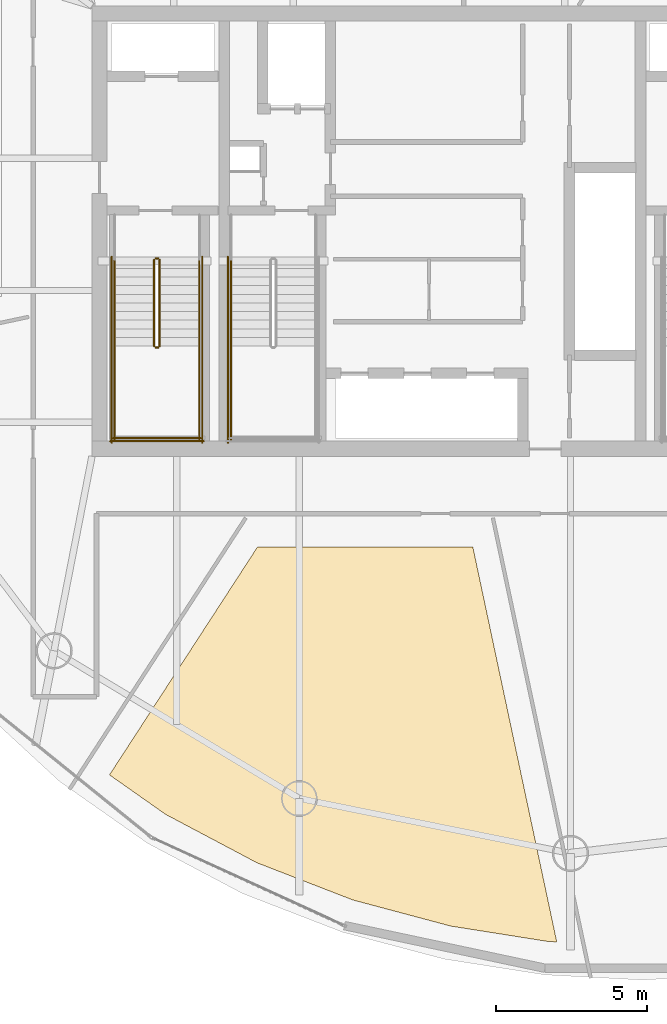
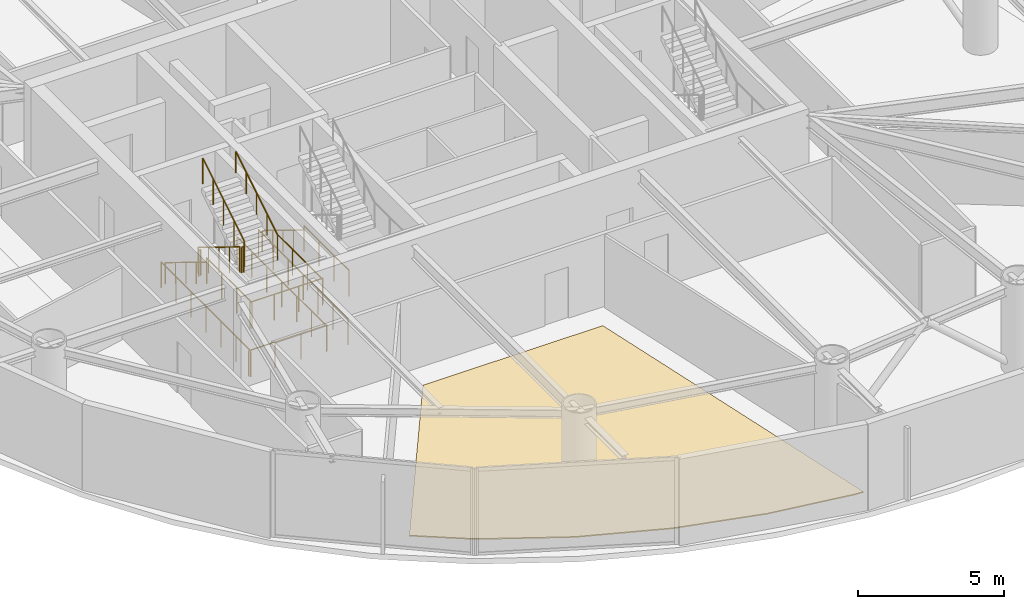
# One storey, part 16 of 19: 15 railings, 1 covering.
"""IFC4 building model written with IfcOpenShell, lengths in metres."""

from ifc_helpers import new_model, si_unit, direction, frame, origin, origin_2d, place, context, subcontext, project, spatial, polyline, circle, outline, extrude, material, layer, layer_set, type_object, element, save


model = new_model("IFC4")

# Units and contexts
model_context = context("Model", 3, precision=1e-05, world=origin(), true_north=direction((0.0, 1.0)))
body_context = subcontext(model_context, "Body", "Model", "MODEL_VIEW")
ifc_project = project(units=[si_unit("LENGTHUNIT", "METRE"), si_unit("AREAUNIT", "SQUARE_METRE"), si_unit("VOLUMEUNIT", "CUBIC_METRE"), si_unit("PLANEANGLEUNIT", "RADIAN"), si_unit("MASSUNIT", "GRAM", prefix="KILO")], contexts=[model_context])

# Site, building, storey
site_placement = place(None, origin())
site = spatial("IfcSite", under=ifc_project, at=site_placement, CompositionType="ELEMENT")
building_placement = place(site_placement, origin())
building = spatial("IfcBuilding", under=site, at=building_placement, Name="Bramvorn Convention Spire", CompositionType="ELEMENT")
storey_placement = place(building_placement, frame((0.0, 0.0, 217.39990234375)))
storey = spatial("IfcBuildingStorey", under=building, at=storey_placement, Name="L55", CompositionType="ELEMENT", Elevation=217.39990234375)

# Covering
ifc_material_1 = material(Name="Calcium-Sulphate Raised Access Office Floor", Category="steel")
ifc_layer = layer(ifc_material_1, 0.044921875)
ifc_layer_set = layer_set([ifc_layer], Name="Calcium-Sulphate Raised Access Office Floor - FLR-RAISED-45")
covering_type = type_object("IfcCoveringType", Name="FLR-RAISED-45", PredefinedType="FLOORING", material=ifc_layer_set)
covering_placement = place(storey_placement, origin())
element("IfcCovering", 1, at=covering_placement, inside=storey, type_object=covering_type, Name="L55 Associate Office Chamber 6 6 raised floor finish", PredefinedType="FLOORING", context=body_context, shape_type="SweptSolid", body=[
    extrude(outline(polyline([(41.8310546875, 2.497802734375), (42.1298828125, 2.481689453125), (39.352294921875, 15.550048828125), (32.227294921875, 15.550048828125), (27.32958984375, 8.00830078125), (29.189208984375, 6.7001953125), (32.20947265625, 5.099853515625), (35.38037109375, 3.8701171875), (38.616943359375, 3.006591796875), (41.8310546875, 2.497802734375)])), origin(), (0.0, 0.0, 1.0), 0.045166015625),
])

# Railings
ifc_material_2 = material(Name="Painted Steel Balustrade & Guardrail", Category="steel")
railing_type_1 = type_object("IfcRailingType", Name="RL-STAIR-GUARD-1100", PredefinedType="GUARDRAIL", material=ifc_material_2)
railing_1_placement = place(storey_placement, frame((28.81005859375, 25.050048828125, 0.175048828125)))
element("IfcRailing", 2, at=railing_1_placement, inside=storey, type_object=railing_type_1, Name="L55 ST1 stair guard 1", PredefinedType="GUARDRAIL", context=body_context, shape_type="SweptSolid", body=[
    extrude(circle(Radius=0.02392578125, at=origin_2d()), frame((0.0, 0.0, 1.076171875), z_axis=(0.0, -0.852179220489, 0.52325001306), x_axis=(1.0, 0.0, 0.0)), (0.0, 0.0, 1.0), 3.344482421875),
    extrude(circle(Radius=0.02099609375, at=origin_2d()), origin(), (0.0, 0.0, 1.0), 1.052001953125),
    extrude(circle(Radius=0.02099609375, at=origin_2d()), frame((0.0, -0.71240234375, 0.4375)), (0.0, 0.0, 1.0), 1.052001953125),
    extrude(circle(Radius=0.02099609375, at=origin_2d()), frame((0.0, -1.425048828125, 0.875)), (0.0, 0.0, 1.0), 1.052001953125),
    extrude(circle(Radius=0.02099609375, at=origin_2d()), frame((0.0, -2.1376953125, 1.3125)), (0.0, 0.0, 1.0), 1.052001953125),
    extrude(circle(Radius=0.02099609375, at=origin_2d()), frame((0.0, -2.85009765625, 1.75)), (0.0, 0.0, 1.0), 1.052001953125),
])
railing_2_placement = place(storey_placement, frame((28.860107421875, 22.14990234375, 1.925048828125)))
element("IfcRailing", 3, at=railing_2_placement, inside=storey, type_object=railing_type_1, Name="L55 ST1 stair guard 2", PredefinedType="GUARDRAIL", context=body_context, shape_type="SweptSolid", body=[
    extrude(circle(Radius=0.02392578125, at=origin_2d()), frame((0.0, 0.0, 1.076171875), z_axis=(1.0, 0.0, 0.0), x_axis=(0.0, 1.0, 0.0)), (0.0, 0.0, 1.0), 0.079833984375),
    extrude(circle(Radius=0.02099609375, at=origin_2d()), origin(), (0.0, 0.0, 1.0), 1.052001953125),
    extrude(circle(Radius=0.02099609375, at=origin_2d()), frame((0.079833984375, 0.0, 0.0)), (0.0, 0.0, 1.0), 1.052001953125),
])
for number, where, name in (
    (4, (27.5, 22.199951171875, 1.925048828125), "L55 ST1 stair guard 3"),
    (5, (30.300048828125, 22.199951171875, 1.925048828125), "L55 ST1 stair guard 4"),
):
    element("IfcRailing", number, at=place(storey_placement, frame(where)), inside=storey, type_object=railing_type_1, Name=name, PredefinedType="GUARDRAIL", context=body_context, shape_type="SweptSolid", body=[
        extrude(circle(Radius=0.02392578125, at=origin_2d()), frame((0.0, 0.0, 1.076171875), z_axis=(0.0, -1.0, 0.0), x_axis=(1.0, 0.0, 0.0)), (0.0, 0.0, 1.0), 3.099853515625),
        extrude(circle(Radius=0.02099609375, at=origin_2d()), origin(), (0.0, 0.0, 1.0), 1.052001953125),
        extrude(circle(Radius=0.02099609375, at=origin_2d()), frame((0.0, -1.033203125, 0.0)), (0.0, 0.0, 1.0), 1.052001953125),
        extrude(circle(Radius=0.02099609375, at=origin_2d()), frame((0.0, -2.066650390625, 0.0)), (0.0, 0.0, 1.0), 1.052001953125),
        extrude(circle(Radius=0.02099609375, at=origin_2d()), frame((0.0, -3.099853515625, 0.0)), (0.0, 0.0, 1.0), 1.052001953125),
    ])
railing_3_placement = place(storey_placement, frame((27.449951171875, 19.14990234375, 1.925048828125)))
element("IfcRailing", 6, at=railing_3_placement, inside=storey, type_object=railing_type_1, Name="L55 ST1 stair guard 5", PredefinedType="GUARDRAIL", context=body_context, shape_type="SweptSolid", body=[
    extrude(circle(Radius=0.02392578125, at=origin_2d()), frame((0.0, 0.0, 1.076171875), z_axis=(1.0, 0.0, 0.0), x_axis=(0.0, 1.0, 0.0)), (0.0, 0.0, 1.0), 2.900146484375),
    extrude(circle(Radius=0.02099609375, at=origin_2d()), origin(), (0.0, 0.0, 1.0), 1.052001953125),
    extrude(circle(Radius=0.02099609375, at=origin_2d()), frame((0.966796875, 0.0, 0.0)), (0.0, 0.0, 1.0), 1.052001953125),
    extrude(circle(Radius=0.02099609375, at=origin_2d()), frame((1.933349609375, 0.0, 0.0)), (0.0, 0.0, 1.0), 1.052001953125),
    extrude(circle(Radius=0.02099609375, at=origin_2d()), frame((2.900146484375, 0.0, 0.0)), (0.0, 0.0, 1.0), 1.052001953125),
])
railing_4_placement = place(storey_placement, frame((28.989990234375, 22.199951171875, 2.10009765625)))
element("IfcRailing", 7, at=railing_4_placement, inside=storey, type_object=railing_type_1, Name="L55 ST1 stair guard 6", PredefinedType="GUARDRAIL", context=body_context, shape_type="SweptSolid", body=[
    extrude(circle(Radius=0.02392578125, at=origin_2d()), frame((0.0, 0.0, 1.076171875), z_axis=(0.0, 0.852179220489, 0.52325001306), x_axis=(-1.0, 0.0, 0.0)), (0.0, 0.0, 1.0), 3.344482421875),
    extrude(circle(Radius=0.02099609375, at=origin_2d()), origin(), (0.0, 0.0, 1.0), 1.052001953125),
    extrude(circle(Radius=0.02099609375, at=origin_2d()), frame((0.0, 0.71240234375, 0.4375)), (0.0, 0.0, 1.0), 1.052001953125),
    extrude(circle(Radius=0.02099609375, at=origin_2d()), frame((0.0, 1.425048828125, 0.875)), (0.0, 0.0, 1.0), 1.052001953125),
    extrude(circle(Radius=0.02099609375, at=origin_2d()), frame((0.0, 2.1376953125, 1.3125)), (0.0, 0.0, 1.0), 1.052001953125),
    extrude(circle(Radius=0.02099609375, at=origin_2d()), frame((0.0, 2.85009765625, 1.75)), (0.0, 0.0, 1.0), 1.052001953125),
])
railing_5_placement = place(storey_placement, frame((28.860107421875, 25.10009765625, 0.0)))
element("IfcRailing", 8, at=railing_5_placement, inside=storey, type_object=railing_type_1, Name="L55 ST1 stair guard 7", PredefinedType="GUARDRAIL", context=body_context, shape_type="SweptSolid", body=[
    extrude(circle(Radius=0.02392578125, at=origin_2d()), frame((0.0, 0.0, 1.076171875), z_axis=(1.0, 0.0, 0.0), x_axis=(0.0, 1.0, 0.0)), (0.0, 0.0, 1.0), 0.079833984375),
    extrude(circle(Radius=0.02099609375, at=origin_2d()), origin(), (0.0, 0.0, 1.0), 1.052001953125),
    extrude(circle(Radius=0.02099609375, at=origin_2d()), frame((0.079833984375, 0.0, 0.0)), (0.0, 0.0, 1.0), 1.052001953125),
])
for number, where, name in (
    (9, (27.39990234375, 25.14990234375, 0.0), "L55 ST1 stair guard 10"),
    (10, (30.39990234375, 25.14990234375, 0.0), "L55 ST1 stair guard 11"),
):
    element("IfcRailing", number, at=place(storey_placement, frame(where)), inside=storey, type_object=railing_type_1, Name=name, PredefinedType="GUARDRAIL", context=body_context, shape_type="SweptSolid", body=[
        extrude(circle(Radius=0.02392578125, at=origin_2d()), frame((0.0, 0.0, 1.076171875), z_axis=(0.0, -1.0, 0.0), x_axis=(1.0, 0.0, 0.0)), (0.0, 0.0, 1.0), 6.14990234375),
        extrude(circle(Radius=0.02099609375, at=origin_2d()), origin(), (0.0, 0.0, 1.0), 1.052001953125),
        extrude(circle(Radius=0.02099609375, at=origin_2d()), frame((0.0, -1.02490234375, 0.0)), (0.0, 0.0, 1.0), 1.052001953125),
        extrude(circle(Radius=0.02099609375, at=origin_2d()), frame((0.0, -2.050048828125, 0.0)), (0.0, 0.0, 1.0), 1.052001953125),
        extrude(circle(Radius=0.02099609375, at=origin_2d()), frame((0.0, -3.074951171875, 0.0)), (0.0, 0.0, 1.0), 1.052001953125),
        extrude(circle(Radius=0.02099609375, at=origin_2d()), frame((0.0, -4.099853515625, 0.0)), (0.0, 0.0, 1.0), 1.052001953125),
        extrude(circle(Radius=0.02099609375, at=origin_2d()), frame((0.0, -5.125, 0.0)), (0.0, 0.0, 1.0), 1.052001953125),
        extrude(circle(Radius=0.02099609375, at=origin_2d()), frame((0.0, -6.14990234375, 0.0)), (0.0, 0.0, 1.0), 1.052001953125),
    ])
railing_6_placement = place(storey_placement, frame((27.35009765625, 19.050048828125, 0.0)))
element("IfcRailing", 11, at=railing_6_placement, inside=storey, type_object=railing_type_1, Name="L55 ST1 stair guard 12", PredefinedType="GUARDRAIL", context=body_context, shape_type="SweptSolid", body=[
    extrude(circle(Radius=0.02392578125, at=origin_2d()), frame((0.0, 0.0, 1.076171875), z_axis=(1.0, 0.0, 0.0), x_axis=(0.0, 1.0, 0.0)), (0.0, 0.0, 1.0), 3.099853515625),
    extrude(circle(Radius=0.02099609375, at=origin_2d()), origin(), (0.0, 0.0, 1.0), 1.052001953125),
    extrude(circle(Radius=0.02099609375, at=origin_2d()), frame((1.033203125, 0.0, 0.0)), (0.0, 0.0, 1.0), 1.052001953125),
    extrude(circle(Radius=0.02099609375, at=origin_2d()), frame((2.066650390625, 0.0, 0.0)), (0.0, 0.0, 1.0), 1.052001953125),
    extrude(circle(Radius=0.02099609375, at=origin_2d()), frame((3.099853515625, 0.0, 0.0)), (0.0, 0.0, 1.0), 1.052001953125),
])
railing_7_placement = place(storey_placement, frame((31.35009765625, 22.199951171875, 1.925048828125)))
element("IfcRailing", 12, at=railing_7_placement, inside=storey, type_object=railing_type_1, Name="L55 ST3 stair guard 3", PredefinedType="GUARDRAIL", context=body_context, shape_type="SweptSolid", body=[
    extrude(circle(Radius=0.02392578125, at=origin_2d()), frame((0.0, 0.0, 1.076171875), z_axis=(0.0, -1.0, 0.0), x_axis=(1.0, 0.0, 0.0)), (0.0, 0.0, 1.0), 3.099853515625),
    extrude(circle(Radius=0.02099609375, at=origin_2d()), origin(), (0.0, 0.0, 1.0), 1.052001953125),
    extrude(circle(Radius=0.02099609375, at=origin_2d()), frame((0.0, -1.033203125, 0.0)), (0.0, 0.0, 1.0), 1.052001953125),
    extrude(circle(Radius=0.02099609375, at=origin_2d()), frame((0.0, -2.066650390625, 0.0)), (0.0, 0.0, 1.0), 1.052001953125),
    extrude(circle(Radius=0.02099609375, at=origin_2d()), frame((0.0, -3.099853515625, 0.0)), (0.0, 0.0, 1.0), 1.052001953125),
])
railing_8_placement = place(storey_placement, frame((31.25, 25.14990234375, 0.0)))
element("IfcRailing", 13, at=railing_8_placement, inside=storey, type_object=railing_type_1, Name="L55 ST3 stair guard 10", PredefinedType="GUARDRAIL", context=body_context, shape_type="SweptSolid", body=[
    extrude(circle(Radius=0.02392578125, at=origin_2d()), frame((0.0, 0.0, 1.076171875), z_axis=(0.0, -1.0, 0.0), x_axis=(1.0, 0.0, 0.0)), (0.0, 0.0, 1.0), 6.14990234375),
    extrude(circle(Radius=0.02099609375, at=origin_2d()), origin(), (0.0, 0.0, 1.0), 1.052001953125),
    extrude(circle(Radius=0.02099609375, at=origin_2d()), frame((0.0, -1.02490234375, 0.0)), (0.0, 0.0, 1.0), 1.052001953125),
    extrude(circle(Radius=0.02099609375, at=origin_2d()), frame((0.0, -2.050048828125, 0.0)), (0.0, 0.0, 1.0), 1.052001953125),
    extrude(circle(Radius=0.02099609375, at=origin_2d()), frame((0.0, -3.074951171875, 0.0)), (0.0, 0.0, 1.0), 1.052001953125),
    extrude(circle(Radius=0.02099609375, at=origin_2d()), frame((0.0, -4.099853515625, 0.0)), (0.0, 0.0, 1.0), 1.052001953125),
    extrude(circle(Radius=0.02099609375, at=origin_2d()), frame((0.0, -5.125, 0.0)), (0.0, 0.0, 1.0), 1.052001953125),
    extrude(circle(Radius=0.02099609375, at=origin_2d()), frame((0.0, -6.14990234375, 0.0)), (0.0, 0.0, 1.0), 1.052001953125),
])
ifc_material_3 = material(Name="Brushed Bronze Tubular Handrail", Category="aluminium")
railing_type_2 = type_object("IfcRailingType", Name="RL-STAIR-HR-920", PredefinedType="HANDRAIL", material=ifc_material_3)
railing_9_placement = place(storey_placement, frame((27.5, 25.050048828125, 0.175048828125)))
element("IfcRailing", 14, at=railing_9_placement, inside=storey, type_object=railing_type_2, Name="L55 ST1 stair handrail 1", PredefinedType="HANDRAIL", context=body_context, shape_type="SweptSolid", body=[
    extrude(circle(Radius=0.02392578125, at=origin_2d()), frame((0.0, 0.0, 0.89599609375), z_axis=(0.0, -0.852179220489, 0.52325001306), x_axis=(1.0, 0.0, 0.0)), (0.0, 0.0, 1.0), 3.344482421875),
    extrude(circle(Radius=0.02099609375, at=origin_2d()), origin(), (0.0, 0.0, 1.0), 0.871826171875),
    extrude(circle(Radius=0.02099609375, at=origin_2d()), frame((0.0, -0.71240234375, 0.4375)), (0.0, 0.0, 1.0), 0.871826171875),
    extrude(circle(Radius=0.02099609375, at=origin_2d()), frame((0.0, -1.425048828125, 0.875)), (0.0, 0.0, 1.0), 0.871826171875),
    extrude(circle(Radius=0.02099609375, at=origin_2d()), frame((0.0, -2.1376953125, 1.3125)), (0.0, 0.0, 1.0), 0.871826171875),
    extrude(circle(Radius=0.02099609375, at=origin_2d()), frame((0.0, -2.85009765625, 1.75)), (0.0, 0.0, 1.0), 0.871826171875),
])
railing_10_placement = place(storey_placement, frame((30.300048828125, 22.199951171875, 2.10009765625)))
element("IfcRailing", 15, at=railing_10_placement, inside=storey, type_object=railing_type_2, Name="L55 ST1 stair handrail 2", PredefinedType="HANDRAIL", context=body_context, shape_type="SweptSolid", body=[
    extrude(circle(Radius=0.02392578125, at=origin_2d()), frame((0.0, 0.0, 0.89599609375), z_axis=(0.0, 0.852179220489, 0.52325001306), x_axis=(-1.0, 0.0, 0.0)), (0.0, 0.0, 1.0), 3.344482421875),
    extrude(circle(Radius=0.02099609375, at=origin_2d()), origin(), (0.0, 0.0, 1.0), 0.871826171875),
    extrude(circle(Radius=0.02099609375, at=origin_2d()), frame((0.0, 0.71240234375, 0.4375)), (0.0, 0.0, 1.0), 0.871826171875),
    extrude(circle(Radius=0.02099609375, at=origin_2d()), frame((0.0, 1.425048828125, 0.875)), (0.0, 0.0, 1.0), 0.871826171875),
    extrude(circle(Radius=0.02099609375, at=origin_2d()), frame((0.0, 2.1376953125, 1.3125)), (0.0, 0.0, 1.0), 0.871826171875),
    extrude(circle(Radius=0.02099609375, at=origin_2d()), frame((0.0, 2.85009765625, 1.75)), (0.0, 0.0, 1.0), 0.871826171875),
])
railing_11_placement = place(storey_placement, frame((31.35009765625, 25.050048828125, 0.175048828125)))
element("IfcRailing", 16, at=railing_11_placement, inside=storey, type_object=railing_type_2, Name="L55 ST3 stair handrail 1", PredefinedType="HANDRAIL", context=body_context, shape_type="SweptSolid", body=[
    extrude(circle(Radius=0.02392578125, at=origin_2d()), frame((0.0, 0.0, 0.89599609375), z_axis=(0.0, -0.852179220489, 0.52325001306), x_axis=(1.0, 0.0, 0.0)), (0.0, 0.0, 1.0), 3.344482421875),
    extrude(circle(Radius=0.02099609375, at=origin_2d()), origin(), (0.0, 0.0, 1.0), 0.871826171875),
    extrude(circle(Radius=0.02099609375, at=origin_2d()), frame((0.0, -0.71240234375, 0.4375)), (0.0, 0.0, 1.0), 0.871826171875),
    extrude(circle(Radius=0.02099609375, at=origin_2d()), frame((0.0, -1.425048828125, 0.875)), (0.0, 0.0, 1.0), 0.871826171875),
    extrude(circle(Radius=0.02099609375, at=origin_2d()), frame((0.0, -2.1376953125, 1.3125)), (0.0, 0.0, 1.0), 0.871826171875),
    extrude(circle(Radius=0.02099609375, at=origin_2d()), frame((0.0, -2.85009765625, 1.75)), (0.0, 0.0, 1.0), 0.871826171875),
])

save(model, "model.ifc")
